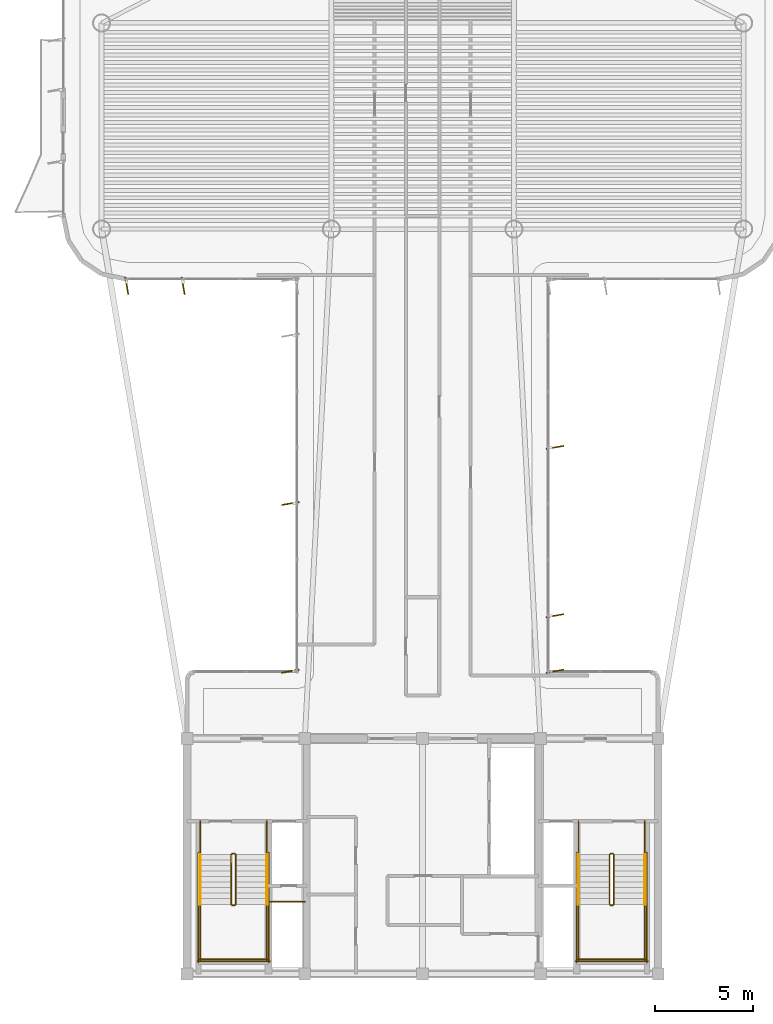
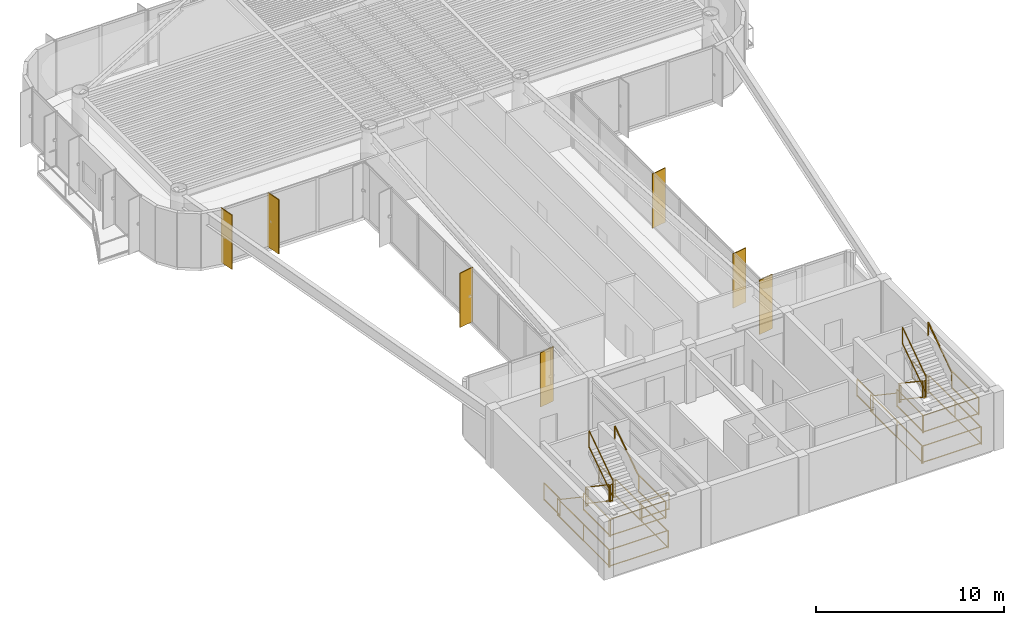
# One storey, part 13 of 14: 29 railings, 7 shading devices.
"""IFC4 building model written with IfcOpenShell, lengths in metres."""

from ifc_helpers import new_model, si_unit, direction, frame, origin, origin_2d, place, context, subcontext, project, spatial, rectangle, extrude, source, transform, mapped, material, layer, layer_set, material_profile, profile_set, type_object, element, save


model = new_model("IFC4")

# Units and contexts
model_context = context("Model", 3, precision=1e-05, world=origin(), true_north=direction((0.0, 1.0)))
body_context = subcontext(model_context, "Body", "Model", "MODEL_VIEW")
ifc_project = project(units=[si_unit("LENGTHUNIT", "METRE"), si_unit("AREAUNIT", "SQUARE_METRE"), si_unit("VOLUMEUNIT", "CUBIC_METRE"), si_unit("PLANEANGLEUNIT", "RADIAN"), si_unit("MASSUNIT", "GRAM", prefix="KILO")], contexts=[model_context])

# Site, building, storey
site_placement = place(None, origin())
site = spatial("IfcSite", under=ifc_project, at=site_placement, CompositionType="ELEMENT")
building_placement = place(site_placement, origin())
building = spatial("IfcBuilding", under=site, at=building_placement, Name="Brelvock Crest Care Tower", CompositionType="ELEMENT")
storey_placement = place(building_placement, frame((0.0, 0.0, 257.0400390625)))
storey = spatial("IfcBuildingStorey", under=building, at=storey_placement, Name="L65", CompositionType="ELEMENT", Elevation=257.0400390625)

# Railings
ifc_material_1 = material(Name="Steel Grade 350", Category="steel")
ifc_layer_1 = layer(ifc_material_1, 0.050048828125, Name="RL-STG1")
ifc_layer_set_1 = layer_set([ifc_layer_1], Name="Steel Grade 350")
railing_type_1 = type_object("IfcRailingType", Name="RL-STG1", PredefinedType="GUARDRAIL", material=ifc_layer_set_1)
railing_1_placement = place(storey_placement, frame((26.260009765625, 12.080078125, 0.18896484375)))
element("IfcRailing", 1, at=railing_1_placement, inside=storey, type_object=railing_type_1, Name="L65 ST-1 stair guard 1", PredefinedType="GUARDRAIL", context=body_context, shape_type="SweptSolid", body=[
    extrude(rectangle(XDim=0.048095703125, YDim=0.048095703125, at=origin_2d()), frame((0.0, -0.001708984375, 1.116943359375), z_axis=(0.0, -0.828861706735, 0.559453546873), x_axis=(1.0, 0.0, 0.0)), (0.0, 0.0, 1.0), 3.036376953125),
    extrude(rectangle(XDim=0.048095703125, YDim=0.048095703125, at=origin_2d()), frame((0.0, -0.001708984375, 0.05615234375), z_axis=(0.0, -0.828861706735, 0.559453546873), x_axis=(1.0, 0.0, 0.0)), (0.0, 0.0, 1.0), 3.036376953125),
    extrude(rectangle(XDim=0.0419921875, YDim=0.0419921875, at=origin_2d()), origin(), (0.0, 0.0, 1.0), 1.08984375),
    extrude(rectangle(XDim=0.0419921875, YDim=0.0419921875, at=origin_2d()), frame((0.0, -2.52001953125, 1.700927734375)), (0.0, 0.0, 1.0), 1.08984375),
])
railing_2_placement = place(storey_placement, frame((26.31005859375, 9.510009765625, 1.889892578125)))
element("IfcRailing", 2, at=railing_2_placement, inside=storey, type_object=railing_type_1, Name="L65 ST-1 stair guard 2", PredefinedType="GUARDRAIL", context=body_context, shape_type="SweptSolid", body=[
    extrude(rectangle(XDim=0.048095703125, YDim=0.048095703125, at=origin_2d()), frame((0.001953125, 0.0, 1.11572265625), z_axis=(1.0, 0.0, 0.0), x_axis=(0.0, 1.0, 0.0)), (0.0, 0.0, 1.0), 0.115966796875),
    extrude(rectangle(XDim=0.048095703125, YDim=0.048095703125, at=origin_2d()), frame((0.001953125, 0.0, 0.054931640625), z_axis=(1.0, 0.0, 0.0), x_axis=(0.0, 1.0, 0.0)), (0.0, 0.0, 1.0), 0.115966796875),
    extrude(rectangle(XDim=0.0419921875, YDim=0.0419921875, at=origin_2d()), origin(), (0.0, 0.0, 1.0), 1.08984375),
    extrude(rectangle(XDim=0.0419921875, YDim=0.0419921875, at=origin_2d()), frame((0.119873046875, 0.0, 0.0)), (0.0, 0.0, 1.0), 1.08984375),
])
for number, where, name in (
    (3, (24.679931640625, 9.56005859375, 1.889892578125), "L65 ST-1 stair guard 3"),
    (4, (28.06005859375, 9.56005859375, 1.889892578125), "L65 ST-1 stair guard 4"),
):
    element("IfcRailing", number, at=place(storey_placement, frame(where)), inside=storey, type_object=railing_type_1, Name=name, PredefinedType="GUARDRAIL", context=body_context, shape_type="SweptSolid", body=[
        extrude(rectangle(XDim=0.048095703125, YDim=0.048095703125, at=origin_2d()), frame((0.0, -0.001953125, 1.11572265625), z_axis=(0.0, -1.0, 0.0), x_axis=(1.0, 0.0, 0.0)), (0.0, 0.0, 1.0), 2.856201171875),
        extrude(rectangle(XDim=0.048095703125, YDim=0.048095703125, at=origin_2d()), frame((0.0, -0.001953125, 0.054931640625), z_axis=(0.0, -1.0, 0.0), x_axis=(1.0, 0.0, 0.0)), (0.0, 0.0, 1.0), 2.856201171875),
        extrude(rectangle(XDim=0.0419921875, YDim=0.0419921875, at=origin_2d()), origin(), (0.0, 0.0, 1.0), 1.08984375),
        extrude(rectangle(XDim=0.0419921875, YDim=0.0419921875, at=origin_2d()), frame((0.0, -2.860107421875, 0.0)), (0.0, 0.0, 1.0), 1.08984375),
    ])
railing_3_placement = place(storey_placement, frame((24.6298828125, 6.75, 1.889892578125)))
element("IfcRailing", 5, at=railing_3_placement, inside=storey, type_object=railing_type_1, Name="L65 ST-1 stair guard 5", PredefinedType="GUARDRAIL", context=body_context, shape_type="SweptSolid", body=[
    extrude(rectangle(XDim=0.048095703125, YDim=0.048095703125, at=origin_2d()), frame((0.001953125, 0.0, 1.11572265625), z_axis=(1.0, 0.0, 0.0), x_axis=(0.0, 1.0, 0.0)), (0.0, 0.0, 1.0), 3.476318359375),
    extrude(rectangle(XDim=0.048095703125, YDim=0.048095703125, at=origin_2d()), frame((0.001953125, 0.0, 0.054931640625), z_axis=(1.0, 0.0, 0.0), x_axis=(0.0, 1.0, 0.0)), (0.0, 0.0, 1.0), 3.476318359375),
    extrude(rectangle(XDim=0.0419921875, YDim=0.0419921875, at=origin_2d()), origin(), (0.0, 0.0, 1.0), 1.08984375),
    extrude(rectangle(XDim=0.0419921875, YDim=0.0419921875, at=origin_2d()), frame((3.480224609375, 0.0, 0.0)), (0.0, 0.0, 1.0), 1.08984375),
])
railing_4_placement = place(storey_placement, frame((26.47998046875, 9.56005859375, 2.078857421875)))
element("IfcRailing", 6, at=railing_4_placement, inside=storey, type_object=railing_type_1, Name="L65 ST-1 stair guard 6", PredefinedType="GUARDRAIL", context=body_context, shape_type="SweptSolid", body=[
    extrude(rectangle(XDim=0.048095703125, YDim=0.048095703125, at=origin_2d()), frame((0.0, 0.001708984375, 1.116943359375), z_axis=(0.0, 0.82882447046, 0.559508710537), x_axis=(-1.0, 0.0, 0.0)), (0.0, 0.0, 1.0), 3.036376953125),
    extrude(rectangle(XDim=0.048095703125, YDim=0.048095703125, at=origin_2d()), frame((0.0, 0.001708984375, 0.05615234375), z_axis=(0.0, 0.82882447046, 0.559508710537), x_axis=(-1.0, 0.0, 0.0)), (0.0, 0.0, 1.0), 3.036376953125),
    extrude(rectangle(XDim=0.0419921875, YDim=0.0419921875, at=origin_2d()), origin(), (0.0, 0.0, 1.0), 1.08984375),
    extrude(rectangle(XDim=0.0419921875, YDim=0.0419921875, at=origin_2d()), frame((0.0, 2.52001953125, 1.701171875)), (0.0, 0.0, 1.0), 1.08984375),
])
railing_5_placement = place(storey_placement, frame((26.31005859375, 12.1298828125, 0.0)))
element("IfcRailing", 7, at=railing_5_placement, inside=storey, type_object=railing_type_1, Name="L65 ST-1 stair guard 7", PredefinedType="GUARDRAIL", context=body_context, shape_type="SweptSolid", body=[
    extrude(rectangle(XDim=0.048095703125, YDim=0.048095703125, at=origin_2d()), frame((0.001953125, 0.0, 1.11572265625), z_axis=(1.0, 0.0, 0.0), x_axis=(0.0, 1.0, 0.0)), (0.0, 0.0, 1.0), 0.115966796875),
    extrude(rectangle(XDim=0.048095703125, YDim=0.048095703125, at=origin_2d()), frame((0.001953125, 0.0, 0.054931640625), z_axis=(1.0, 0.0, 0.0), x_axis=(0.0, 1.0, 0.0)), (0.0, 0.0, 1.0), 0.115966796875),
    extrude(rectangle(XDim=0.0419921875, YDim=0.0419921875, at=origin_2d()), origin(), (0.0, 0.0, 1.0), 1.08984375),
    extrude(rectangle(XDim=0.0419921875, YDim=0.0419921875, at=origin_2d()), frame((0.119873046875, 0.0, 0.0)), (0.0, 0.0, 1.0), 1.08984375),
])
for number, where, name in (
    (8, (24.679931640625, 13.780029296875, 0.0), "L65 ST-1 stair guard 8"),
    (9, (28.06005859375, 13.780029296875, 0.0), "L65 ST-1 stair guard 9"),
):
    element("IfcRailing", number, at=place(storey_placement, frame(where)), inside=storey, type_object=railing_type_1, Name=name, PredefinedType="GUARDRAIL", context=body_context, shape_type="SweptSolid", body=[
        extrude(rectangle(XDim=0.048095703125, YDim=0.048095703125, at=origin_2d()), frame((0.0, -0.001953125, 1.11572265625), z_axis=(0.0, -1.0, 0.0), x_axis=(1.0, 0.0, 0.0)), (0.0, 0.0, 1.0), 1.696044921875),
        extrude(rectangle(XDim=0.048095703125, YDim=0.048095703125, at=origin_2d()), frame((0.0, -0.001953125, 0.054931640625), z_axis=(0.0, -1.0, 0.0), x_axis=(1.0, 0.0, 0.0)), (0.0, 0.0, 1.0), 1.696044921875),
        extrude(rectangle(XDim=0.0419921875, YDim=0.0419921875, at=origin_2d()), origin(), (0.0, 0.0, 1.0), 1.08984375),
        extrude(rectangle(XDim=0.0419921875, YDim=0.0419921875, at=origin_2d()), frame((0.0, -1.699951171875, 0.0)), (0.0, 0.0, 1.0), 1.08984375),
    ])
for number, where, name in (
    (10, (24.580078125, 12.179931640625, 0.0), "L65 ST-1 stair guard 10"),
    (11, (28.159912109375, 12.179931640625, 0.0), "L65 ST-1 stair guard 11"),
):
    element("IfcRailing", number, at=place(storey_placement, frame(where)), inside=storey, type_object=railing_type_1, Name=name, PredefinedType="GUARDRAIL", context=body_context, shape_type="SweptSolid", body=[
        extrude(rectangle(XDim=0.048095703125, YDim=0.048095703125, at=origin_2d()), frame((0.0, -0.001953125, 1.11572265625), z_axis=(0.0, -1.0, 0.0), x_axis=(1.0, 0.0, 0.0)), (0.0, 0.0, 1.0), 5.575927734375),
        extrude(rectangle(XDim=0.048095703125, YDim=0.048095703125, at=origin_2d()), frame((0.0, -0.001953125, 0.054931640625), z_axis=(0.0, -1.0, 0.0), x_axis=(1.0, 0.0, 0.0)), (0.0, 0.0, 1.0), 5.575927734375),
        extrude(rectangle(XDim=0.0419921875, YDim=0.0419921875, at=origin_2d()), origin(), (0.0, 0.0, 1.0), 1.08984375),
        extrude(rectangle(XDim=0.0419921875, YDim=0.0419921875, at=origin_2d()), frame((0.0, -2.7900390625, 0.0)), (0.0, 0.0, 1.0), 1.08984375),
        extrude(rectangle(XDim=0.0419921875, YDim=0.0419921875, at=origin_2d()), frame((0.0, -5.579833984375, 0.0)), (0.0, 0.0, 1.0), 1.08984375),
    ])
railing_6_placement = place(storey_placement, frame((24.530029296875, 6.64990234375, 0.0)))
element("IfcRailing", 12, at=railing_6_placement, inside=storey, type_object=railing_type_1, Name="L65 ST-1 stair guard 12", PredefinedType="GUARDRAIL", context=body_context, shape_type="SweptSolid", body=[
    extrude(rectangle(XDim=0.048095703125, YDim=0.048095703125, at=origin_2d()), frame((0.001953125, 0.0, 1.11572265625), z_axis=(1.0, 0.0, 0.0), x_axis=(0.0, 1.0, 0.0)), (0.0, 0.0, 1.0), 3.676025390625),
    extrude(rectangle(XDim=0.048095703125, YDim=0.048095703125, at=origin_2d()), frame((0.001953125, 0.0, 0.054931640625), z_axis=(1.0, 0.0, 0.0), x_axis=(0.0, 1.0, 0.0)), (0.0, 0.0, 1.0), 3.676025390625),
    extrude(rectangle(XDim=0.0419921875, YDim=0.0419921875, at=origin_2d()), origin(), (0.0, 0.0, 1.0), 1.08984375),
    extrude(rectangle(XDim=0.0419921875, YDim=0.0419921875, at=origin_2d()), frame((3.679931640625, 0.0, 0.0)), (0.0, 0.0, 1.0), 1.08984375),
])
railing_7_placement = place(storey_placement, frame((45.52001953125, 12.080078125, 0.18896484375)))
element("IfcRailing", 13, at=railing_7_placement, inside=storey, type_object=railing_type_1, Name="L65 ST-2 stair guard 1", PredefinedType="GUARDRAIL", context=body_context, shape_type="SweptSolid", body=[
    extrude(rectangle(XDim=0.048095703125, YDim=0.048095703125, at=origin_2d()), frame((0.0, -0.001708984375, 1.116943359375), z_axis=(0.0, -0.828861706735, 0.559453546873), x_axis=(1.0, 0.0, 0.0)), (0.0, 0.0, 1.0), 3.036376953125),
    extrude(rectangle(XDim=0.048095703125, YDim=0.048095703125, at=origin_2d()), frame((0.0, -0.001708984375, 0.05615234375), z_axis=(0.0, -0.828861706735, 0.559453546873), x_axis=(1.0, 0.0, 0.0)), (0.0, 0.0, 1.0), 3.036376953125),
    extrude(rectangle(XDim=0.0419921875, YDim=0.0419921875, at=origin_2d()), origin(), (0.0, 0.0, 1.0), 1.08984375),
    extrude(rectangle(XDim=0.0419921875, YDim=0.0419921875, at=origin_2d()), frame((0.0, -2.52001953125, 1.700927734375)), (0.0, 0.0, 1.0), 1.08984375),
])
railing_8_placement = place(storey_placement, frame((45.570068359375, 9.510009765625, 1.889892578125)))
element("IfcRailing", 14, at=railing_8_placement, inside=storey, type_object=railing_type_1, Name="L65 ST-2 stair guard 2", PredefinedType="GUARDRAIL", context=body_context, shape_type="SweptSolid", body=[
    extrude(rectangle(XDim=0.048095703125, YDim=0.048095703125, at=origin_2d()), frame((0.001953125, 0.0, 1.11572265625), z_axis=(1.0, 0.0, 0.0), x_axis=(0.0, 1.0, 0.0)), (0.0, 0.0, 1.0), 0.115966796875),
    extrude(rectangle(XDim=0.048095703125, YDim=0.048095703125, at=origin_2d()), frame((0.001953125, 0.0, 0.054931640625), z_axis=(1.0, 0.0, 0.0), x_axis=(0.0, 1.0, 0.0)), (0.0, 0.0, 1.0), 0.115966796875),
    extrude(rectangle(XDim=0.0419921875, YDim=0.0419921875, at=origin_2d()), origin(), (0.0, 0.0, 1.0), 1.08984375),
    extrude(rectangle(XDim=0.0419921875, YDim=0.0419921875, at=origin_2d()), frame((0.119873046875, 0.0, 0.0)), (0.0, 0.0, 1.0), 1.08984375),
])
for number, where, name in (
    (15, (43.93994140625, 9.56005859375, 1.889892578125), "L65 ST-2 stair guard 3"),
    (16, (47.320068359375, 9.56005859375, 1.889892578125), "L65 ST-2 stair guard 4"),
):
    element("IfcRailing", number, at=place(storey_placement, frame(where)), inside=storey, type_object=railing_type_1, Name=name, PredefinedType="GUARDRAIL", context=body_context, shape_type="SweptSolid", body=[
        extrude(rectangle(XDim=0.048095703125, YDim=0.048095703125, at=origin_2d()), frame((0.0, -0.001953125, 1.11572265625), z_axis=(0.0, -1.0, 0.0), x_axis=(1.0, 0.0, 0.0)), (0.0, 0.0, 1.0), 2.856201171875),
        extrude(rectangle(XDim=0.048095703125, YDim=0.048095703125, at=origin_2d()), frame((0.0, -0.001953125, 0.054931640625), z_axis=(0.0, -1.0, 0.0), x_axis=(1.0, 0.0, 0.0)), (0.0, 0.0, 1.0), 2.856201171875),
        extrude(rectangle(XDim=0.0419921875, YDim=0.0419921875, at=origin_2d()), origin(), (0.0, 0.0, 1.0), 1.08984375),
        extrude(rectangle(XDim=0.0419921875, YDim=0.0419921875, at=origin_2d()), frame((0.0, -2.860107421875, 0.0)), (0.0, 0.0, 1.0), 1.08984375),
    ])
railing_9_placement = place(storey_placement, frame((43.889892578125, 6.75, 1.889892578125)))
element("IfcRailing", 17, at=railing_9_placement, inside=storey, type_object=railing_type_1, Name="L65 ST-2 stair guard 5", PredefinedType="GUARDRAIL", context=body_context, shape_type="SweptSolid", body=[
    extrude(rectangle(XDim=0.048095703125, YDim=0.048095703125, at=origin_2d()), frame((0.001953125, 0.0, 1.11572265625), z_axis=(1.0, 0.0, 0.0), x_axis=(0.0, 1.0, 0.0)), (0.0, 0.0, 1.0), 3.476318359375),
    extrude(rectangle(XDim=0.048095703125, YDim=0.048095703125, at=origin_2d()), frame((0.001953125, 0.0, 0.054931640625), z_axis=(1.0, 0.0, 0.0), x_axis=(0.0, 1.0, 0.0)), (0.0, 0.0, 1.0), 3.476318359375),
    extrude(rectangle(XDim=0.0419921875, YDim=0.0419921875, at=origin_2d()), origin(), (0.0, 0.0, 1.0), 1.08984375),
    extrude(rectangle(XDim=0.0419921875, YDim=0.0419921875, at=origin_2d()), frame((3.480224609375, 0.0, 0.0)), (0.0, 0.0, 1.0), 1.08984375),
])
railing_10_placement = place(storey_placement, frame((45.739990234375, 9.56005859375, 2.078857421875)))
element("IfcRailing", 18, at=railing_10_placement, inside=storey, type_object=railing_type_1, Name="L65 ST-2 stair guard 6", PredefinedType="GUARDRAIL", context=body_context, shape_type="SweptSolid", body=[
    extrude(rectangle(XDim=0.048095703125, YDim=0.048095703125, at=origin_2d()), frame((0.0, 0.001708984375, 1.116943359375), z_axis=(0.0, 0.82882447046, 0.559508710537), x_axis=(-1.0, 0.0, 0.0)), (0.0, 0.0, 1.0), 3.036376953125),
    extrude(rectangle(XDim=0.048095703125, YDim=0.048095703125, at=origin_2d()), frame((0.0, 0.001708984375, 0.05615234375), z_axis=(0.0, 0.82882447046, 0.559508710537), x_axis=(-1.0, 0.0, 0.0)), (0.0, 0.0, 1.0), 3.036376953125),
    extrude(rectangle(XDim=0.0419921875, YDim=0.0419921875, at=origin_2d()), origin(), (0.0, 0.0, 1.0), 1.08984375),
    extrude(rectangle(XDim=0.0419921875, YDim=0.0419921875, at=origin_2d()), frame((0.0, 2.52001953125, 1.701171875)), (0.0, 0.0, 1.0), 1.08984375),
])
railing_11_placement = place(storey_placement, frame((45.570068359375, 12.1298828125, 0.0)))
element("IfcRailing", 19, at=railing_11_placement, inside=storey, type_object=railing_type_1, Name="L65 ST-2 stair guard 7", PredefinedType="GUARDRAIL", context=body_context, shape_type="SweptSolid", body=[
    extrude(rectangle(XDim=0.048095703125, YDim=0.048095703125, at=origin_2d()), frame((0.001953125, 0.0, 1.11572265625), z_axis=(1.0, 0.0, 0.0), x_axis=(0.0, 1.0, 0.0)), (0.0, 0.0, 1.0), 0.115966796875),
    extrude(rectangle(XDim=0.048095703125, YDim=0.048095703125, at=origin_2d()), frame((0.001953125, 0.0, 0.054931640625), z_axis=(1.0, 0.0, 0.0), x_axis=(0.0, 1.0, 0.0)), (0.0, 0.0, 1.0), 0.115966796875),
    extrude(rectangle(XDim=0.0419921875, YDim=0.0419921875, at=origin_2d()), origin(), (0.0, 0.0, 1.0), 1.08984375),
    extrude(rectangle(XDim=0.0419921875, YDim=0.0419921875, at=origin_2d()), frame((0.119873046875, 0.0, 0.0)), (0.0, 0.0, 1.0), 1.08984375),
])
for number, where, name in (
    (20, (43.93994140625, 13.780029296875, 0.0), "L65 ST-2 stair guard 8"),
    (21, (47.320068359375, 13.780029296875, 0.0), "L65 ST-2 stair guard 9"),
):
    element("IfcRailing", number, at=place(storey_placement, frame(where)), inside=storey, type_object=railing_type_1, Name=name, PredefinedType="GUARDRAIL", context=body_context, shape_type="SweptSolid", body=[
        extrude(rectangle(XDim=0.048095703125, YDim=0.048095703125, at=origin_2d()), frame((0.0, -0.001953125, 1.11572265625), z_axis=(0.0, -1.0, 0.0), x_axis=(1.0, 0.0, 0.0)), (0.0, 0.0, 1.0), 1.696044921875),
        extrude(rectangle(XDim=0.048095703125, YDim=0.048095703125, at=origin_2d()), frame((0.0, -0.001953125, 0.054931640625), z_axis=(0.0, -1.0, 0.0), x_axis=(1.0, 0.0, 0.0)), (0.0, 0.0, 1.0), 1.696044921875),
        extrude(rectangle(XDim=0.0419921875, YDim=0.0419921875, at=origin_2d()), origin(), (0.0, 0.0, 1.0), 1.08984375),
        extrude(rectangle(XDim=0.0419921875, YDim=0.0419921875, at=origin_2d()), frame((0.0, -1.699951171875, 0.0)), (0.0, 0.0, 1.0), 1.08984375),
    ])
for number, where, name in (
    (22, (43.840087890625, 12.179931640625, 0.0), "L65 ST-2 stair guard 10"),
    (23, (47.419921875, 12.179931640625, 0.0), "L65 ST-2 stair guard 11"),
):
    element("IfcRailing", number, at=place(storey_placement, frame(where)), inside=storey, type_object=railing_type_1, Name=name, PredefinedType="GUARDRAIL", context=body_context, shape_type="SweptSolid", body=[
        extrude(rectangle(XDim=0.048095703125, YDim=0.048095703125, at=origin_2d()), frame((0.0, -0.001953125, 1.11572265625), z_axis=(0.0, -1.0, 0.0), x_axis=(1.0, 0.0, 0.0)), (0.0, 0.0, 1.0), 5.575927734375),
        extrude(rectangle(XDim=0.048095703125, YDim=0.048095703125, at=origin_2d()), frame((0.0, -0.001953125, 0.054931640625), z_axis=(0.0, -1.0, 0.0), x_axis=(1.0, 0.0, 0.0)), (0.0, 0.0, 1.0), 5.575927734375),
        extrude(rectangle(XDim=0.0419921875, YDim=0.0419921875, at=origin_2d()), origin(), (0.0, 0.0, 1.0), 1.08984375),
        extrude(rectangle(XDim=0.0419921875, YDim=0.0419921875, at=origin_2d()), frame((0.0, -2.7900390625, 0.0)), (0.0, 0.0, 1.0), 1.08984375),
        extrude(rectangle(XDim=0.0419921875, YDim=0.0419921875, at=origin_2d()), frame((0.0, -5.579833984375, 0.0)), (0.0, 0.0, 1.0), 1.08984375),
    ])
railing_12_placement = place(storey_placement, frame((43.7900390625, 6.64990234375, 0.0)))
element("IfcRailing", 24, at=railing_12_placement, inside=storey, type_object=railing_type_1, Name="L65 ST-2 stair guard 12", PredefinedType="GUARDRAIL", context=body_context, shape_type="SweptSolid", body=[
    extrude(rectangle(XDim=0.048095703125, YDim=0.048095703125, at=origin_2d()), frame((0.001953125, 0.0, 1.11572265625), z_axis=(1.0, 0.0, 0.0), x_axis=(0.0, 1.0, 0.0)), (0.0, 0.0, 1.0), 3.676025390625),
    extrude(rectangle(XDim=0.048095703125, YDim=0.048095703125, at=origin_2d()), frame((0.001953125, 0.0, 0.054931640625), z_axis=(1.0, 0.0, 0.0), x_axis=(0.0, 1.0, 0.0)), (0.0, 0.0, 1.0), 3.676025390625),
    extrude(rectangle(XDim=0.0419921875, YDim=0.0419921875, at=origin_2d()), origin(), (0.0, 0.0, 1.0), 1.08984375),
    extrude(rectangle(XDim=0.0419921875, YDim=0.0419921875, at=origin_2d()), frame((3.679931640625, 0.0, 0.0)), (0.0, 0.0, 1.0), 1.08984375),
])
railing_13_placement = place(storey_placement, frame((28.219970703125, 9.679931640625, 0.0)))
element("IfcRailing", 25, at=railing_13_placement, inside=storey, type_object=railing_type_1, Name="L65 Fire Riser Threshold Guard", PredefinedType="GUARDRAIL", context=body_context, shape_type="SweptSolid", body=[
    extrude(rectangle(XDim=0.048095703125, YDim=0.048095703125, at=origin_2d()), frame((0.001953125, 0.0, 1.11572265625), z_axis=(1.0, 0.0, 0.0), x_axis=(0.0, 1.0, 0.0)), (0.0, 0.0, 1.0), 1.776123046875),
    extrude(rectangle(XDim=0.048095703125, YDim=0.048095703125, at=origin_2d()), frame((0.001953125, 0.0, 0.054931640625), z_axis=(1.0, 0.0, 0.0), x_axis=(0.0, 1.0, 0.0)), (0.0, 0.0, 1.0), 1.776123046875),
    extrude(rectangle(XDim=0.0419921875, YDim=0.0419921875, at=origin_2d()), origin(), (0.0, 0.0, 1.0), 1.08984375),
    extrude(rectangle(XDim=0.0419921875, YDim=0.0419921875, at=origin_2d()), frame((1.780029296875, 0.0, 0.0)), (0.0, 0.0, 1.0), 1.08984375),
])
ifc_layer_2 = layer(ifc_material_1, 0.048095703125, Name="RL-STH1")
ifc_layer_set_2 = layer_set([ifc_layer_2], Name="Steel Grade 350")
railing_type_2 = type_object("IfcRailingType", Name="RL-STH1", PredefinedType="HANDRAIL", material=ifc_layer_set_2)
railing_14_placement = place(storey_placement, frame((24.679931640625, 12.080078125, 0.18896484375)))
element("IfcRailing", 26, at=railing_14_placement, inside=storey, type_object=railing_type_2, Name="L65 ST-1 stair handrail 1", PredefinedType="HANDRAIL", context=body_context, shape_type="SweptSolid", body=[
    extrude(rectangle(XDim=0.048095703125, YDim=0.048095703125, at=origin_2d()), frame((0.0, -0.001708984375, 0.876953125), z_axis=(0.0, -0.828861706735, 0.559453546873), x_axis=(1.0, 0.0, 0.0)), (0.0, 0.0, 1.0), 3.036376953125),
    extrude(rectangle(XDim=0.0419921875, YDim=0.0419921875, at=origin_2d()), origin(), (0.0, 0.0, 1.0), 0.849853515625),
    extrude(rectangle(XDim=0.0419921875, YDim=0.0419921875, at=origin_2d()), frame((0.0, -2.52001953125, 1.700927734375)), (0.0, 0.0, 1.0), 0.849853515625),
])
railing_15_placement = place(storey_placement, frame((28.06005859375, 9.56005859375, 2.078857421875)))
element("IfcRailing", 27, at=railing_15_placement, inside=storey, type_object=railing_type_2, Name="L65 ST-1 stair handrail 2", PredefinedType="HANDRAIL", context=body_context, shape_type="SweptSolid", body=[
    extrude(rectangle(XDim=0.048095703125, YDim=0.048095703125, at=origin_2d()), frame((0.0, 0.001708984375, 0.876953125), z_axis=(0.0, 0.82882447046, 0.559508710537), x_axis=(-1.0, 0.0, 0.0)), (0.0, 0.0, 1.0), 3.036376953125),
    extrude(rectangle(XDim=0.0419921875, YDim=0.0419921875, at=origin_2d()), origin(), (0.0, 0.0, 1.0), 0.849853515625),
    extrude(rectangle(XDim=0.0419921875, YDim=0.0419921875, at=origin_2d()), frame((0.0, 2.52001953125, 1.701171875)), (0.0, 0.0, 1.0), 0.849853515625),
])
railing_16_placement = place(storey_placement, frame((43.93994140625, 12.080078125, 0.18896484375)))
element("IfcRailing", 28, at=railing_16_placement, inside=storey, type_object=railing_type_2, Name="L65 ST-2 stair handrail 1", PredefinedType="HANDRAIL", context=body_context, shape_type="SweptSolid", body=[
    extrude(rectangle(XDim=0.048095703125, YDim=0.048095703125, at=origin_2d()), frame((0.0, -0.001708984375, 0.876953125), z_axis=(0.0, -0.828861706735, 0.559453546873), x_axis=(1.0, 0.0, 0.0)), (0.0, 0.0, 1.0), 3.036376953125),
    extrude(rectangle(XDim=0.0419921875, YDim=0.0419921875, at=origin_2d()), origin(), (0.0, 0.0, 1.0), 0.849853515625),
    extrude(rectangle(XDim=0.0419921875, YDim=0.0419921875, at=origin_2d()), frame((0.0, -2.52001953125, 1.700927734375)), (0.0, 0.0, 1.0), 0.849853515625),
])
railing_17_placement = place(storey_placement, frame((47.320068359375, 9.56005859375, 2.078857421875)))
element("IfcRailing", 29, at=railing_17_placement, inside=storey, type_object=railing_type_2, Name="L65 ST-2 stair handrail 2", PredefinedType="HANDRAIL", context=body_context, shape_type="SweptSolid", body=[
    extrude(rectangle(XDim=0.048095703125, YDim=0.048095703125, at=origin_2d()), frame((0.0, 0.001708984375, 0.876953125), z_axis=(0.0, 0.82882447046, 0.559508710537), x_axis=(-1.0, 0.0, 0.0)), (0.0, 0.0, 1.0), 3.036376953125),
    extrude(rectangle(XDim=0.0419921875, YDim=0.0419921875, at=origin_2d()), origin(), (0.0, 0.0, 1.0), 0.849853515625),
    extrude(rectangle(XDim=0.0419921875, YDim=0.0419921875, at=origin_2d()), frame((0.0, 2.52001953125, 1.701171875)), (0.0, 0.0, 1.0), 0.849853515625),
])

# Shading devices
ifc_material_2 = material(Name="Aluminium 6063-T6", Category="aluminium")
ifc_material_profile = material_profile(ifc_material_2, rectangle(XDim=0.054931640625, YDim=0.89990234375, at=origin_2d()), Name="FIN55x900")
ifc_profile_set = profile_set([ifc_material_profile], Name="Aluminium 6063-T6")
shading_device_type = type_object("IfcShadingDeviceType", Name="SHD-FIN1", PredefinedType="USERDEFINED", material=ifc_profile_set)
shared_shape = source(origin(), body_context, "Body", "SweptSolid", [
    extrude(rectangle(XDim=0.054931640625, YDim=0.89990234375, at=origin_2d()), origin(), (0.0, 0.0, 1.0), 3.530029296875),
])
for number, where, z_axis, x_axis, name in (
    (30, (29.260009765625, 21.429931640625, 0.0), (0.0, 0.0, 1.0), (-0.173648177667, 0.984807753012, 0.0), "L65 Vertical Sunshade Fin E11-01"),
    (31, (29.260009765625, 29.971435546875, 0.0), (0.0, 0.0, 1.0), (-0.173648177667, 0.984807753012, 0.0), "L65 Vertical Sunshade Fin E11-04"),
    (32, (23.800048828125, 41.06005859375, 0.0), (0.0, 0.0, 1.0), (-0.984807753012, -0.173648177667, 0.0), "L65 Vertical Sunshade Fin E12-03"),
    (33, (20.929931640625, 41.06005859375, 0.0), (0.0, 0.0, 1.0), (-0.984807753012, -0.173648177667, 0.0), "L65 Vertical Sunshade Fin E12-04"),
    (34, (42.739990234375, 32.82861328125, 0.0), (0.0, 0.0, 1.0), (0.173648177667, -0.984807753012, 0.0), "L65 Vertical Sunshade Fin E45-04"),
    (35, (42.739990234375, 24.257080078125, 0.0), (0.0, 0.0, 1.0), (0.173648177667, -0.984807753012, 0.0), "L65 Vertical Sunshade Fin E45-07"),
    (36, (42.739990234375, 21.429931640625, 0.0), (0.0, 0.0, 1.0), (0.173648177667, -0.984807753012, 0.0), "L65 Vertical Sunshade Fin E45-08"),
):
    element("IfcShadingDevice", number, at=place(storey_placement, frame(where, z_axis=z_axis, x_axis=x_axis)), inside=storey, type_object=shading_device_type, Name=name, ObjectType="FIN", PredefinedType="USERDEFINED", context=body_context, shape_type="MappedRepresentation", body=[
        mapped(shared_shape, transform((0.0, 0.0, 0.0), x_axis=(1.0, 0.0, 0.0), y_axis=(0.0, 1.0, 0.0), z_axis=(0.0, 0.0, 1.0), scale=1.0)),
    ])

save(model, "model.ifc")
